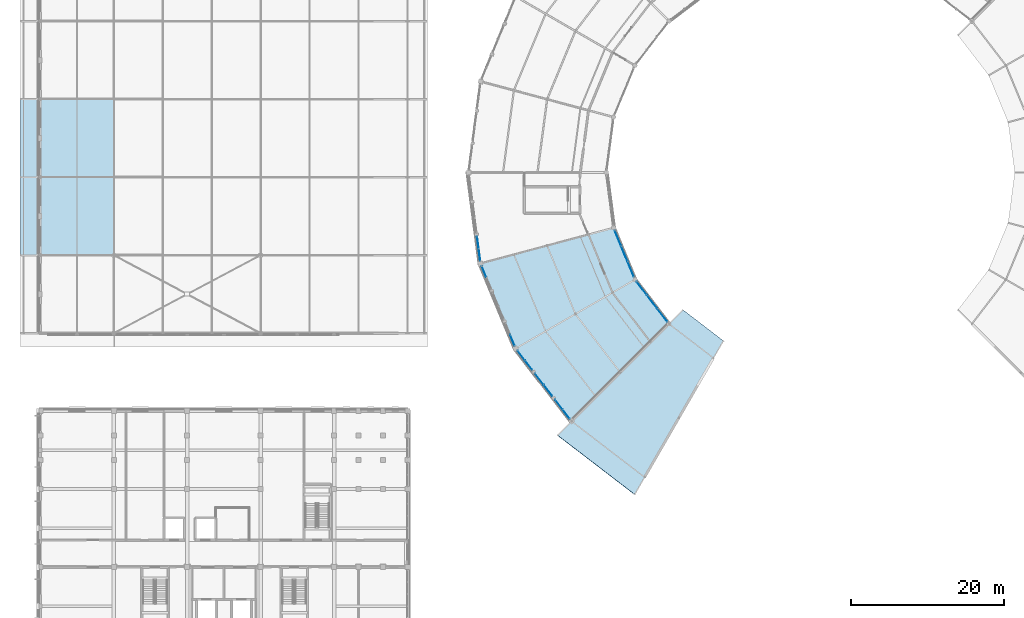
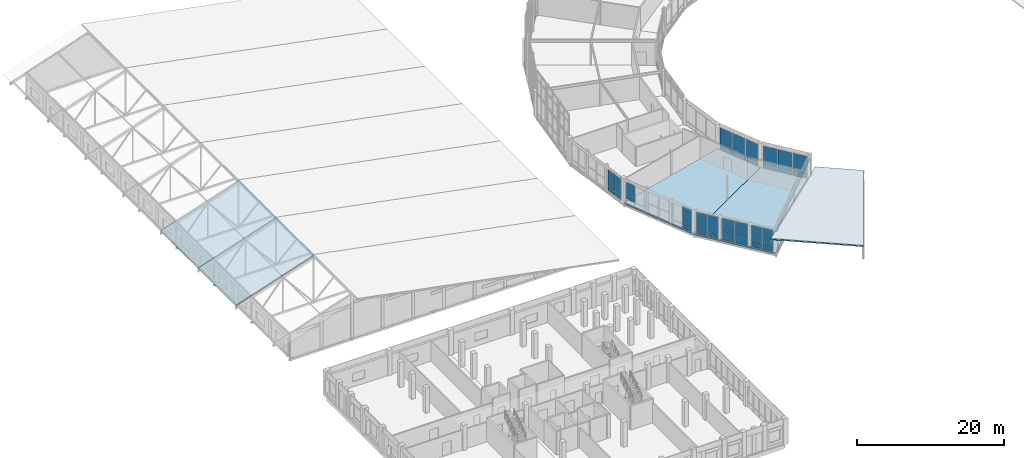
# One storey, part 136 of 200: 31 plates, 5 slabs, 8 elements without a shape of their own.
"""IFC4 building model written with IfcOpenShell, lengths in metres."""

from ifc_helpers import new_model, si_unit, direction, frame, origin, origin_2d, place, context, subcontext, project, spatial, polyline, rectangle, outline, extrude, material, layer, layer_set, type_object, element, aggregate, save


model = new_model("IFC4")

# Units and contexts
model_context = context("Model", 3, precision=1e-05, world=origin(), true_north=direction((0.0, 1.0)))
body_context = subcontext(model_context, "Body", "Model", "MODEL_VIEW")
ifc_project = project(units=[si_unit("LENGTHUNIT", "METRE"), si_unit("AREAUNIT", "SQUARE_METRE"), si_unit("VOLUMEUNIT", "CUBIC_METRE"), si_unit("PLANEANGLEUNIT", "RADIAN"), si_unit("MASSUNIT", "GRAM", prefix="KILO")], contexts=[model_context])

# Site, building, storey
site_placement = place(None, origin())
site = spatial("IfcSite", under=ifc_project, at=site_placement, CompositionType="ELEMENT")
building_placement = place(site_placement, origin())
building = spatial("IfcBuilding", under=site, at=building_placement, Name="Vondelvale Polytechnic", CompositionType="ELEMENT")
storey_placement = place(building_placement, frame((0.0, 0.0, 13.800048828125)))
storey = spatial("IfcBuildingStorey", under=building, at=storey_placement, Name="L03", CompositionType="ELEMENT", Elevation=13.800048828125)

# Curtain wall, plates
ifc_material_1 = material(Name="Glulam GL18 structural Tasmanian oak (fb = 42 MPa)", Category="wood")
curtain_wall_type_1 = type_object("IfcCurtainWallType", Name="CW-RING-OUTER", PredefinedType="NOTDEFINED", material=ifc_material_1)
curtain_wall_1_placement = place(storey_placement, origin())
curtain_wall_1 = element("IfcCurtainWall", 1, at=curtain_wall_1_placement, inside=storey, type_object=curtain_wall_type_1, Name="L03 architectural curtain wall CW-04-270", PredefinedType="NOTDEFINED")
ifc_material_2 = material(Name="Double-glazed low-E insulated architectural glass", Category="glass")
ifc_layer_1 = layer(ifc_material_2, 0.028076171875)
ifc_layer_set_1 = layer_set([ifc_layer_1], Name="CW-PANEL-GLAZED")
plate_type_1 = type_object("IfcPlateType", Name="CW-PANEL-GLAZED", PredefinedType="CURTAIN_PANEL", material=ifc_layer_set_1)
plate_1_placement = place(storey_placement, frame((57.20751953125, 62.828369140625, 0.780029296875), z_axis=(0.0, 0.0, 1.0), x_axis=(0.130539547729, -0.991443102996, 0.0)))
plate_1 = element("IfcPlate", 2, at=plate_1_placement, type_object=plate_type_1, Name="CW-04-270 panel 1.2", PredefinedType="CURTAIN_PANEL", context=body_context, shape_type="SweptSolid", body=[
    extrude(rectangle(XDim=1.530029296875, YDim=0.028076171875, at=origin_2d()), origin(), (0.0, 0.0, 1.0), 2.8798828125),
])
plate_2_placement = place(storey_placement, frame((57.415771484375, 61.2470703125, 0.780029296875), z_axis=(0.0, 0.0, 1.0), x_axis=(0.130539547729, -0.991443102996, 0.0)))
plate_2 = element("IfcPlate", 3, at=plate_2_placement, type_object=plate_type_1, Name="CW-04-270 panel 2.2", PredefinedType="CURTAIN_PANEL", context=body_context, shape_type="SweptSolid", body=[
    extrude(rectangle(XDim=1.530029296875, YDim=0.028076171875, at=origin_2d()), origin(), (0.0, 0.0, 1.0), 2.8798828125),
])

ifc_material_3 = material(Name="Anodised extruded aluminium 6063-T6", Category="aluminium")
curtain_wall_type_2 = type_object("IfcCurtainWallType", Name="CW-RING-CLOISTER", PredefinedType="NOTDEFINED", material=ifc_material_3)
curtain_wall_2_placement = place(storey_placement, origin())
curtain_wall_2 = element("IfcCurtainWall", 4, at=curtain_wall_2_placement, inside=storey, type_object=curtain_wall_type_2, Name="L03 architectural curtain wall CW-03-287", PredefinedType="NOTDEFINED")
plate_3_placement = place(storey_placement, frame((75.51123046875, 63.408203125, 0.7822265625), z_axis=(0.0, 0.0, 1.0), x_axis=(0.382678531697, -0.923881562419, 0.0)))
plate_3 = element("IfcPlate", 5, at=plate_3_placement, type_object=plate_type_1, Name="CW-03-287 panel 1.2", PredefinedType="CURTAIN_PANEL", context=body_context, shape_type="SweptSolid", body=[
    extrude(rectangle(XDim=2.111572265625, YDim=0.028076171875, at=origin_2d()), origin(), (0.0, 0.0, 1.0), 2.902587890625),
])
plate_4_placement = place(storey_placement, frame((76.352783203125, 61.37646484375, 0.7822265625), z_axis=(0.0, 0.0, 1.0), x_axis=(0.382678531697, -0.923881562419, 0.0)))
plate_4 = element("IfcPlate", 6, at=plate_4_placement, type_object=plate_type_1, Name="CW-03-287 panel 2.2", PredefinedType="CURTAIN_PANEL", context=body_context, shape_type="SweptSolid", body=[
    extrude(rectangle(XDim=2.146484375, YDim=0.028076171875, at=origin_2d()), origin(), (0.0, 0.0, 1.0), 2.902587890625),
])
plate_5_placement = place(storey_placement, frame((77.194091796875, 59.344970703125, 0.7822265625), z_axis=(0.0, 0.0, 1.0), x_axis=(0.382678531697, -0.923881562419, 0.0)))
plate_5 = element("IfcPlate", 7, at=plate_5_placement, type_object=plate_type_1, Name="CW-03-287 panel 3.2", PredefinedType="CURTAIN_PANEL", context=body_context, shape_type="SweptSolid", body=[
    extrude(rectangle(XDim=2.111572265625, YDim=0.028076171875, at=origin_2d()), origin(), (0.0, 0.0, 1.0), 2.902587890625),
])

# Curtain wall, plate
curtain_wall_3_placement = place(storey_placement, origin())
curtain_wall_3 = element("IfcCurtainWall", 8, at=curtain_wall_3_placement, inside=storey, type_object=curtain_wall_type_1, Name="L03 architectural curtain wall CW-04-288", PredefinedType="NOTDEFINED")
plate_6_placement = place(storey_placement, frame((58.01220703125, 59.02001953125, 0.780029296875), z_axis=(0.0, 0.0, 1.0), x_axis=(0.382677394529, -0.923882033442, 0.0)))
plate_6 = element("IfcPlate", 9, at=plate_6_placement, type_object=plate_type_1, Name="CW-04-288 panel 1.2", PredefinedType="CURTAIN_PANEL", context=body_context, shape_type="SweptSolid", body=[
    extrude(rectangle(XDim=1.530029296875, YDim=0.028076171875, at=origin_2d()), origin(), (0.0, 0.0, 1.0), 2.8798828125),
])
aggregate(curtain_wall_3, [plate_6])

curtain_wall_4_placement = place(storey_placement, origin())
curtain_wall_4 = element("IfcCurtainWall", 10, at=curtain_wall_4_placement, inside=storey, type_object=curtain_wall_type_1, Name="L03 architectural curtain wall CW-04-290", PredefinedType="NOTDEFINED")
plate_7_placement = place(storey_placement, frame((61.7177734375, 50.07421875, 0.780029296875), z_axis=(0.0, 0.0, 1.0), x_axis=(0.382677394529, -0.923882033442, 0.0)))
plate_7 = element("IfcPlate", 11, at=plate_7_placement, type_object=plate_type_1, Name="CW-04-290 panel 2.2", PredefinedType="CURTAIN_PANEL", context=body_context, shape_type="SweptSolid", body=[
    extrude(rectangle(XDim=1.530029296875, YDim=0.028076171875, at=origin_2d()), origin(), (0.0, 0.0, 1.0), 2.8798828125),
])

# Curtain wall, plates
curtain_wall_5_placement = place(storey_placement, origin())
curtain_wall_5 = element("IfcCurtainWall", 12, at=curtain_wall_5_placement, inside=storey, type_object=curtain_wall_type_2, Name="L03 architectural curtain wall CW-03-306", PredefinedType="NOTDEFINED")
plate_8_placement = place(storey_placement, frame((78.636962890625, 56.845703125, 0.7822265625), z_axis=(0.0, 0.0, 1.0), x_axis=(0.608747717793, -0.793363861089, 0.0)))
plate_8 = element("IfcPlate", 13, at=plate_8_placement, type_object=plate_type_1, Name="CW-03-306 panel 1.2", PredefinedType="CURTAIN_PANEL", context=body_context, shape_type="SweptSolid", body=[
    extrude(rectangle(XDim=2.1123046875, YDim=0.028076171875, at=origin_2d()), origin(), (0.0, 0.0, 1.0), 2.902587890625),
])
plate_9_placement = place(storey_placement, frame((79.97607421875, 55.1005859375, 0.7822265625), z_axis=(0.0, 0.0, 1.0), x_axis=(0.608747717793, -0.793363861089, 0.0)))
plate_9 = element("IfcPlate", 14, at=plate_9_placement, type_object=plate_type_1, Name="CW-03-306 panel 2.2", PredefinedType="CURTAIN_PANEL", context=body_context, shape_type="SweptSolid", body=[
    extrude(rectangle(XDim=2.1474609375, YDim=0.028076171875, at=origin_2d()), origin(), (0.0, 0.0, 1.0), 2.902587890625),
])
plate_10_placement = place(storey_placement, frame((81.3154296875, 53.355224609375, 0.7822265625), z_axis=(0.0, 0.0, 1.0), x_axis=(0.608747717793, -0.793363861089, 0.0)))
plate_10 = element("IfcPlate", 15, at=plate_10_placement, type_object=plate_type_1, Name="CW-03-306 panel 3.2", PredefinedType="CURTAIN_PANEL", context=body_context, shape_type="SweptSolid", body=[
    extrude(rectangle(XDim=2.1123046875, YDim=0.028076171875, at=origin_2d()), origin(), (0.0, 0.0, 1.0), 2.902587890625),
])

curtain_wall_6_placement = place(storey_placement, origin())
curtain_wall_6 = element("IfcCurtainWall", 16, at=curtain_wall_6_placement, inside=storey, type_object=curtain_wall_type_1, Name="L03 architectural curtain wall CW-04-307", PredefinedType="NOTDEFINED")
plate_11_placement = place(storey_placement, frame((62.87060546875, 48.07763671875, 0.780029296875), z_axis=(0.0, 0.0, 1.0), x_axis=(0.608786860133, -0.793333825656, 0.0)))
plate_11 = element("IfcPlate", 17, at=plate_11_placement, type_object=plate_type_1, Name="CW-04-307 panel 1.2", PredefinedType="CURTAIN_PANEL", context=body_context, shape_type="SweptSolid", body=[
    extrude(rectangle(XDim=1.530029296875, YDim=0.028076171875, at=origin_2d()), origin(), (0.0, 0.0, 1.0), 2.8798828125),
])
plate_12_placement = place(storey_placement, frame((63.841552734375, 46.812255859375, 0.780029296875), z_axis=(0.0, 0.0, 1.0), x_axis=(0.608786860133, -0.793333825656, 0.0)))
plate_12 = element("IfcPlate", 18, at=plate_12_placement, type_object=plate_type_1, Name="CW-04-307 panel 2.2", PredefinedType="CURTAIN_PANEL", context=body_context, shape_type="SweptSolid", body=[
    extrude(rectangle(XDim=1.530029296875, YDim=0.028076171875, at=origin_2d()), origin(), (0.0, 0.0, 1.0), 2.8798828125),
])

curtain_wall_7_placement = place(storey_placement, origin())
curtain_wall_7 = element("IfcCurtainWall", 19, at=curtain_wall_7_placement, inside=storey, type_object=curtain_wall_type_1, Name="L03 architectural curtain wall CW-04-309", PredefinedType="NOTDEFINED")
plate_13_placement = place(storey_placement, frame((67.794189453125, 41.660888671875, 0.780029296875), z_axis=(0.0, 0.0, 1.0), x_axis=(0.608786860133, -0.793333825656, 0.0)))
plate_13 = element("IfcPlate", 20, at=plate_13_placement, type_object=plate_type_1, Name="CW-04-309 panel 1.2", PredefinedType="CURTAIN_PANEL", context=body_context, shape_type="SweptSolid", body=[
    extrude(rectangle(XDim=1.530029296875, YDim=0.028076171875, at=origin_2d()), origin(), (0.0, 0.0, 1.0), 2.8798828125),
])
plate_14_placement = place(storey_placement, frame((68.765380859375, 40.3955078125, 0.780029296875), z_axis=(0.0, 0.0, 1.0), x_axis=(0.608786860133, -0.793333825656, 0.0)))
plate_14 = element("IfcPlate", 21, at=plate_14_placement, type_object=plate_type_1, Name="CW-04-309 panel 2.2", PredefinedType="CURTAIN_PANEL", context=body_context, shape_type="SweptSolid", body=[
    extrude(rectangle(XDim=1.530029296875, YDim=0.028076171875, at=origin_2d()), origin(), (0.0, 0.0, 1.0), 2.8798828125),
])

# Plate
ifc_material_4 = material(Name="Engineered Tasmanian oak studio and bridge joinery")
ifc_layer_2 = layer(ifc_material_4, 0.0419921875)
ifc_layer_set_2 = layer_set([ifc_layer_2], Name="CW-PANEL-OAK")
plate_type_2 = type_object("IfcPlateType", Name="CW-PANEL-OAK", PredefinedType="CURTAIN_PANEL", material=ifc_layer_set_2)
plate_15_placement = place(storey_placement, frame((75.51123046875, 63.408203125, 0.06494140625), z_axis=(0.0, 0.0, 1.0), x_axis=(0.382678531697, -0.923881562419, 0.0)))
plate_15 = element("IfcPlate", 22, at=plate_15_placement, type_object=plate_type_2, Name="CW-03-287 panel 1.1", PredefinedType="CURTAIN_PANEL", context=body_context, shape_type="SweptSolid", body=[
    extrude(rectangle(XDim=2.111572265625, YDim=0.0419921875, at=origin_2d()), origin(), (0.0, 0.0, 1.0), 0.652587890625),
])

plate_16_placement = place(storey_placement, frame((76.352783203125, 61.37646484375, 0.06494140625), z_axis=(0.0, 0.0, 1.0), x_axis=(0.382678531697, -0.923881562419, 0.0)))
plate_16 = element("IfcPlate", 23, at=plate_16_placement, type_object=plate_type_2, Name="CW-03-287 panel 2.1", PredefinedType="CURTAIN_PANEL", context=body_context, shape_type="SweptSolid", body=[
    extrude(rectangle(XDim=2.146484375, YDim=0.0419921875, at=origin_2d()), origin(), (0.0, 0.0, 1.0), 0.652587890625),
])

plate_17_placement = place(storey_placement, frame((77.194091796875, 59.344970703125, 0.06494140625), z_axis=(0.0, 0.0, 1.0), x_axis=(0.382678531697, -0.923881562419, 0.0)))
plate_17 = element("IfcPlate", 24, at=plate_17_placement, type_object=plate_type_2, Name="CW-03-287 panel 3.1", PredefinedType="CURTAIN_PANEL", context=body_context, shape_type="SweptSolid", body=[
    extrude(rectangle(XDim=2.111572265625, YDim=0.0419921875, at=origin_2d()), origin(), (0.0, 0.0, 1.0), 0.652587890625),
])

aggregate(curtain_wall_2, [plate_15, plate_3, plate_16, plate_4, plate_17, plate_5])

plate_18_placement = place(storey_placement, frame((78.636962890625, 56.845703125, 0.06494140625), z_axis=(0.0, 0.0, 1.0), x_axis=(0.608747717793, -0.793363861089, 0.0)))
plate_18 = element("IfcPlate", 25, at=plate_18_placement, type_object=plate_type_2, Name="CW-03-306 panel 1.1", PredefinedType="CURTAIN_PANEL", context=body_context, shape_type="SweptSolid", body=[
    extrude(rectangle(XDim=2.1123046875, YDim=0.0419921875, at=origin_2d()), origin(), (0.0, 0.0, 1.0), 0.652587890625),
])

plate_19_placement = place(storey_placement, frame((79.97607421875, 55.1005859375, 0.06494140625), z_axis=(0.0, 0.0, 1.0), x_axis=(0.608747717793, -0.793363861089, 0.0)))
plate_19 = element("IfcPlate", 26, at=plate_19_placement, type_object=plate_type_2, Name="CW-03-306 panel 2.1", PredefinedType="CURTAIN_PANEL", context=body_context, shape_type="SweptSolid", body=[
    extrude(rectangle(XDim=2.1474609375, YDim=0.0419921875, at=origin_2d()), origin(), (0.0, 0.0, 1.0), 0.652587890625),
])

plate_20_placement = place(storey_placement, frame((81.3154296875, 53.355224609375, 0.06494140625), z_axis=(0.0, 0.0, 1.0), x_axis=(0.608747717793, -0.793363861089, 0.0)))
plate_20 = element("IfcPlate", 27, at=plate_20_placement, type_object=plate_type_2, Name="CW-03-306 panel 3.1", PredefinedType="CURTAIN_PANEL", context=body_context, shape_type="SweptSolid", body=[
    extrude(rectangle(XDim=2.1123046875, YDim=0.0419921875, at=origin_2d()), origin(), (0.0, 0.0, 1.0), 0.652587890625),
])

aggregate(curtain_wall_5, [plate_18, plate_8, plate_19, plate_9, plate_20, plate_10])

# Curtain wall, plates
curtain_wall_8_placement = place(storey_placement, origin())
curtain_wall_8 = element("IfcCurtainWall", 28, at=curtain_wall_8_placement, inside=storey, type_object=curtain_wall_type_1, Name="L03 architectural curtain wall CW-04-308", PredefinedType="NOTDEFINED")
plate_21_placement = place(storey_placement, frame((65.24755859375, 44.97998046875, 0.06005859375), z_axis=(0.0, 0.0, 1.0), x_axis=(0.608771189063, -0.793345851043, 0.0)))
plate_21 = element("IfcPlate", 29, at=plate_21_placement, type_object=plate_type_2, Name="CW-04-308 panel 1.1", PredefinedType="CURTAIN_PANEL", context=body_context, shape_type="SweptSolid", body=[
    extrude(rectangle(XDim=1.80908203125, YDim=0.0419921875, at=origin_2d()), origin(), (0.0, 0.0, 1.0), 1.510009765625),
])
plate_22_placement = place(storey_placement, frame((65.24755859375, 44.97998046875, 1.6298828125), z_axis=(0.0, 0.0, 1.0), x_axis=(0.608771189063, -0.793345851043, 0.0)))
plate_22 = element("IfcPlate", 30, at=plate_22_placement, type_object=plate_type_2, Name="CW-04-308 panel 1.2", PredefinedType="CURTAIN_PANEL", context=body_context, shape_type="SweptSolid", body=[
    extrude(rectangle(XDim=1.80908203125, YDim=0.0419921875, at=origin_2d()), origin(), (0.0, 0.0, 1.0), 2.030029296875),
])
plate_23_placement = place(storey_placement, frame((66.388427734375, 43.4931640625, 0.06005859375), z_axis=(0.0, 0.0, 1.0), x_axis=(0.608771189063, -0.793345851043, 0.0)))
plate_23 = element("IfcPlate", 31, at=plate_23_placement, type_object=plate_type_2, Name="CW-04-308 panel 2.1", PredefinedType="CURTAIN_PANEL", context=body_context, shape_type="SweptSolid", body=[
    extrude(rectangle(XDim=1.80908203125, YDim=0.0419921875, at=origin_2d()), origin(), (0.0, 0.0, 1.0), 1.510009765625),
])
plate_24_placement = place(storey_placement, frame((66.388427734375, 43.4931640625, 1.6298828125), z_axis=(0.0, 0.0, 1.0), x_axis=(0.608771189063, -0.793345851043, 0.0)))
plate_24 = element("IfcPlate", 32, at=plate_24_placement, type_object=plate_type_2, Name="CW-04-308 panel 2.2", PredefinedType="CURTAIN_PANEL", context=body_context, shape_type="SweptSolid", body=[
    extrude(rectangle(XDim=1.80908203125, YDim=0.0419921875, at=origin_2d()), origin(), (0.0, 0.0, 1.0), 2.030029296875),
])
aggregate(curtain_wall_8, [plate_21, plate_22, plate_23, plate_24])

# Plate
ifc_material_5 = material(Name="Kiln-fired architectural terracotta", Category="masonry")
ifc_layer_3 = layer(ifc_material_5, 0.035888671875)
ifc_layer_set_3 = layer_set([ifc_layer_3], Name="CW-PANEL-SPANDREL")
plate_type_3 = type_object("IfcPlateType", Name="CW-PANEL-SPANDREL", PredefinedType="CURTAIN_PANEL", material=ifc_layer_set_3)
plate_25_placement = place(storey_placement, frame((57.20751953125, 62.828369140625, 0.06005859375), z_axis=(0.0, 0.0, 1.0), x_axis=(0.130539547729, -0.991443102996, 0.0)))
plate_25 = element("IfcPlate", 33, at=plate_25_placement, type_object=plate_type_3, Name="CW-04-270 panel 1.1", PredefinedType="CURTAIN_PANEL", context=body_context, shape_type="SweptSolid", body=[
    extrude(rectangle(XDim=1.530029296875, YDim=0.035888671875, at=origin_2d()), origin(), (0.0, 0.0, 1.0), 0.659912109375),
])

plate_26_placement = place(storey_placement, frame((57.415771484375, 61.2470703125, 0.06005859375), z_axis=(0.0, 0.0, 1.0), x_axis=(0.130539547729, -0.991443102996, 0.0)))
plate_26 = element("IfcPlate", 34, at=plate_26_placement, type_object=plate_type_3, Name="CW-04-270 panel 2.1", PredefinedType="CURTAIN_PANEL", context=body_context, shape_type="SweptSolid", body=[
    extrude(rectangle(XDim=1.530029296875, YDim=0.035888671875, at=origin_2d()), origin(), (0.0, 0.0, 1.0), 0.659912109375),
])

aggregate(curtain_wall_1, [plate_25, plate_1, plate_26, plate_2])

plate_27_placement = place(storey_placement, frame((61.7177734375, 50.07421875, 0.06005859375), z_axis=(0.0, 0.0, 1.0), x_axis=(0.382677394529, -0.923882033442, 0.0)))
plate_27 = element("IfcPlate", 35, at=plate_27_placement, type_object=plate_type_3, Name="CW-04-290 panel 2.1", PredefinedType="CURTAIN_PANEL", context=body_context, shape_type="SweptSolid", body=[
    extrude(rectangle(XDim=1.530029296875, YDim=0.035888671875, at=origin_2d()), origin(), (0.0, 0.0, 1.0), 0.659912109375),
])

aggregate(curtain_wall_4, [plate_27, plate_7])

plate_28_placement = place(storey_placement, frame((62.87060546875, 48.07763671875, 0.06005859375), z_axis=(0.0, 0.0, 1.0), x_axis=(0.608786860133, -0.793333825656, 0.0)))
plate_28 = element("IfcPlate", 36, at=plate_28_placement, type_object=plate_type_3, Name="CW-04-307 panel 1.1", PredefinedType="CURTAIN_PANEL", context=body_context, shape_type="SweptSolid", body=[
    extrude(rectangle(XDim=1.530029296875, YDim=0.035888671875, at=origin_2d()), origin(), (0.0, 0.0, 1.0), 0.659912109375),
])

plate_29_placement = place(storey_placement, frame((63.841552734375, 46.812255859375, 0.06005859375), z_axis=(0.0, 0.0, 1.0), x_axis=(0.608786860133, -0.793333825656, 0.0)))
plate_29 = element("IfcPlate", 37, at=plate_29_placement, type_object=plate_type_3, Name="CW-04-307 panel 2.1", PredefinedType="CURTAIN_PANEL", context=body_context, shape_type="SweptSolid", body=[
    extrude(rectangle(XDim=1.530029296875, YDim=0.035888671875, at=origin_2d()), origin(), (0.0, 0.0, 1.0), 0.659912109375),
])

aggregate(curtain_wall_6, [plate_28, plate_11, plate_29, plate_12])

plate_30_placement = place(storey_placement, frame((67.794189453125, 41.660888671875, 0.06005859375), z_axis=(0.0, 0.0, 1.0), x_axis=(0.608786860133, -0.793333825656, 0.0)))
plate_30 = element("IfcPlate", 38, at=plate_30_placement, type_object=plate_type_3, Name="CW-04-309 panel 1.1", PredefinedType="CURTAIN_PANEL", context=body_context, shape_type="SweptSolid", body=[
    extrude(rectangle(XDim=1.530029296875, YDim=0.035888671875, at=origin_2d()), origin(), (0.0, 0.0, 1.0), 0.659912109375),
])

plate_31_placement = place(storey_placement, frame((68.765380859375, 40.3955078125, 0.06005859375), z_axis=(0.0, 0.0, 1.0), x_axis=(0.608786860133, -0.793333825656, 0.0)))
plate_31 = element("IfcPlate", 39, at=plate_31_placement, type_object=plate_type_3, Name="CW-04-309 panel 2.1", PredefinedType="CURTAIN_PANEL", context=body_context, shape_type="SweptSolid", body=[
    extrude(rectangle(XDim=1.530029296875, YDim=0.035888671875, at=origin_2d()), origin(), (0.0, 0.0, 1.0), 0.659912109375),
])

aggregate(curtain_wall_7, [plate_30, plate_13, plate_31, plate_14])

# Slabs
ifc_material_6 = material(Name="Concrete N40 (f'c = 40 MPa)", Category="concrete")
ifc_layer_4 = layer(ifc_material_6, 0.25)
ifc_layer_set_4 = layer_set([ifc_layer_4], Name="SLB-LAB-250")
slab_type_1 = type_object("IfcSlabType", Name="SLB-LAB-250", PredefinedType="FLOOR", material=ifc_layer_set_4)
slab_1_placement = place(storey_placement, frame((0.0, 0.0, -0.25)))
element("IfcSlab", 40, at=slab_1_placement, inside=storey, type_object=slab_type_1, Name="L03 circular ring sector 13 floor slab", PredefinedType="FLOOR", context=body_context, shape_type="SweptSolid", body=[
    extrude(outline(polyline([(74.9541015625, 64.753173828125), (57.5673828125, 60.09423828125), (62.162841796875, 49.0), (77.751220703125, 58.0), (74.9541015625, 64.753173828125)])), origin(), (0.0, 0.0, 1.0), 0.25),
])
slab_2_placement = place(storey_placement, frame((0.0, 0.0, -0.25)))
element("IfcSlab", 41, at=slab_2_placement, inside=storey, type_object=slab_type_1, Name="L03 circular ring sector 14 floor slab", PredefinedType="FLOOR", context=body_context, shape_type="SweptSolid", body=[
    extrude(outline(polyline([(77.751220703125, 58.0), (62.162841796875, 49.0), (69.47314453125, 39.47314453125), (82.200927734375, 52.200927734375), (77.751220703125, 58.0)])), origin(), (0.0, 0.0, 1.0), 0.25),
])
ifc_layer_5 = layer(ifc_material_6, 0.199951171875)
ifc_layer_set_5 = layer_set([ifc_layer_5], Name="SLB-ROOF-200")
slab_type_2 = type_object("IfcSlabType", Name="SLB-ROOF-200", PredefinedType="ROOF", material=ifc_layer_set_5)
slab_3_placement = place(storey_placement, frame((-2.60009765625, 61.199951171875, 3.333251953125), z_axis=(-0.316222070711, 0.0, 0.948685196467), x_axis=(0.948685196467, 0.0, 0.316222070711)))
element("IfcSlab", 42, at=slab_3_placement, inside=storey, type_object=slab_type_2, Name="Workshop West sloped roof slab bay 2", PredefinedType="ROOF", context=body_context, shape_type="SweptSolid", body=[
    extrude(outline(polyline([(0.0, 0.0), (12.860109294353506, 0.0), (12.860109294353506, 10.199951171875), (0.0, 10.199951171875), (0.0, 0.0)])), origin(), (0.0, 0.0, -1.0), 0.199951171875),
])
slab_4_placement = place(storey_placement, frame((-2.60009765625, 71.39990234375, 3.333251953125), z_axis=(-0.316222070711, 0.0, 0.948685196467), x_axis=(0.948685196467, 0.0, 0.316222070711)))
element("IfcSlab", 43, at=slab_4_placement, inside=storey, type_object=slab_type_2, Name="Workshop West sloped roof slab bay 3", PredefinedType="ROOF", context=body_context, shape_type="SweptSolid", body=[
    extrude(outline(polyline([(0.0, 0.0), (12.860109294353506, 0.0), (12.860109294353506, 10.200195312500002), (0.0, 10.200195312500002), (0.0, 0.0)])), origin(), (0.0, 0.0, -1.0), 0.199951171875),
])
slab_5_placement = place(storey_placement, frame((84.03955078125, 54.03955078125, 0.300048828125), z_axis=(0.099220853186, 0.129307003649, 0.986628056109), x_axis=(-0.697809324875, -0.697809309167, 0.161630177121)))
element("IfcSlab", 44, at=slab_5_placement, inside=storey, type_object=slab_type_2, Name="Ring inward-sloping dark roof slab sector 15", PredefinedType="ROOF", context=body_context, shape_type="SweptSolid", body=[
    extrude(outline(polyline([(0.0, 0.0), (23.509327683403676, 1.1518563880486e-15), (21.87502950214247, 12.581441762589419), (-0.8540328137971462, 6.575543894499543), (0.0, 0.0)])), origin(), (0.0, 0.0, -1.0), 0.199951171875),
])

save(model, "model.ifc")
